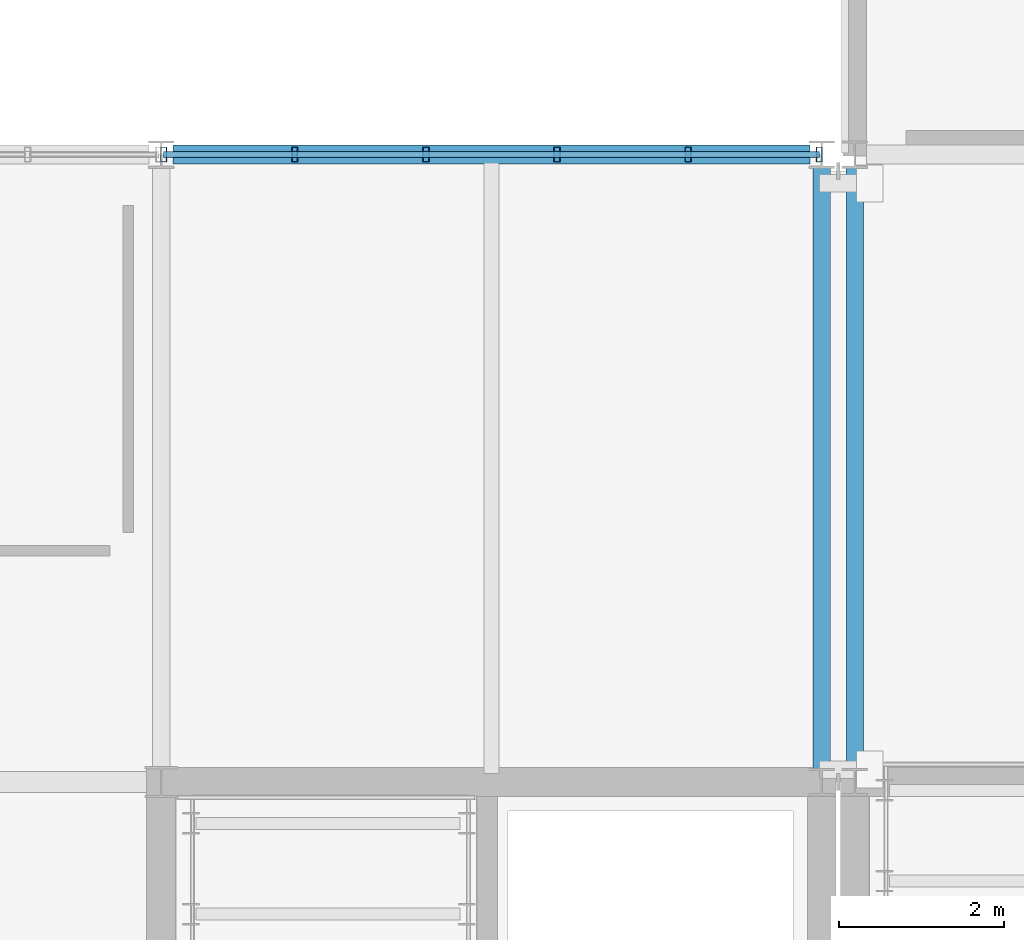
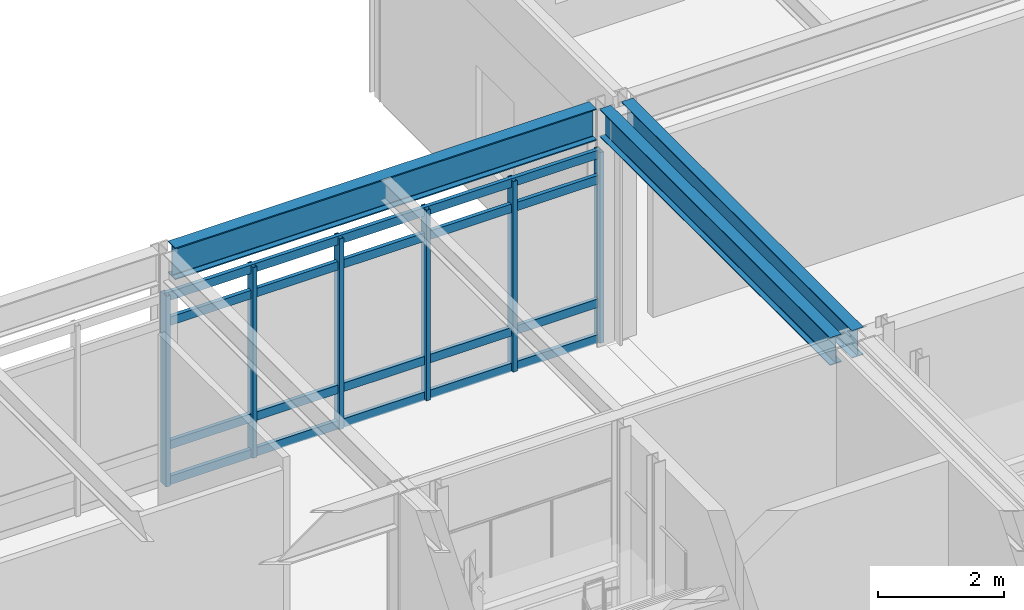
# One storey, part 56 of 104: 10 members, 3 beams, 1 element without a shape of its own.
"""IFC4 building model written with IfcOpenShell, lengths in metres."""

import ifcopenshell
import ifcopenshell.guid

model = None  # the IFC model being written
_history = None  # IfcOwnerHistory: only IFC2X3 demands one
_inside = {}  # id of a spatial element -> (the spatial element, [elements in it])
_under = {}  # id of a project, library or spatial element -> (it, [spatial elements below it])
_declared = {}  # id of a project -> (the project, [libraries it declares])
_typed = {}  # id of a type object -> (the type object, [elements of that type])
_made_of = {}  # id of a material, layer set ... -> (it, [elements and type objects made of it])


def new_model(schema):
    """Start an empty IFC model of exactly this schema.

    Asked for "IFC4X3", IfcOpenShell would pick the latest addendum, in which some entities
    have other attributes; the version numbers below select the first issue.
    IFC2X3 requires an IfcOwnerHistory on every rooted entity: one is made here for all.
    """
    global model, _history
    if schema == "IFC4X3":
        model = ifcopenshell.file(schema_version=(4, 3, 0, 0))
    else:
        model = ifcopenshell.file(schema=schema)
    _inside.clear()
    _under.clear()
    _declared.clear()
    _typed.clear()
    _made_of.clear()
    _history = None
    if model.schema == "IFC2X3":
        org = make("IfcOrganization", Name="unknown")
        user = make(
            "IfcPersonAndOrganization",
            ThePerson=make("IfcPerson", FamilyName="unknown"),
            TheOrganization=org,
        )
        app = make(
            "IfcApplication",
            ApplicationDeveloper=org,
            Version="unknown",
            ApplicationFullName="unknown",
            ApplicationIdentifier="unknown",
        )
        _history = make(
            "IfcOwnerHistory",
            OwningUser=user,
            OwningApplication=app,
            ChangeAction="ADDED",
            CreationDate=0,
        )
    return model


def make(cls, **values):
    """One entity of the class cls with the attributes given. An attribute that is None is left unset."""
    return model.create_entity(
        cls, **{name: value for name, value in values.items() if value is not None}
    )


def rooted(cls, **values):
    """An entity with a GlobalId (a new one), such as an element, a storey or a relation."""
    return make(cls, GlobalId=ifcopenshell.guid.new(), OwnerHistory=_history, **values)


def si_unit(unit_type, name, prefix=None):
    """IfcSIUnit, for example si_unit("LENGTHUNIT", "METRE", prefix="MILLI")."""
    return make("IfcSIUnit", UnitType=unit_type, Prefix=prefix, Name=name)


def assignment(units):
    """IfcUnitAssignment: the units of a project."""
    return None if units is None else make("IfcUnitAssignment", Units=units)


def point(xyz):
    """IfcCartesianPoint."""
    return None if xyz is None else make("IfcCartesianPoint", Coordinates=xyz)


def direction(xyz):
    """IfcDirection."""
    return None if xyz is None else make("IfcDirection", DirectionRatios=xyz)


def frame(location, z_axis=None, x_axis=None):
    """IfcAxis2Placement3D, a coordinate frame: its origin and axes. An axis left out is left unset."""
    return make(
        "IfcAxis2Placement3D",
        Location=point(location),
        Axis=direction(z_axis),
        RefDirection=direction(x_axis),
    )


def frame_2d(location, x_axis=None):
    """IfcAxis2Placement2D, a coordinate frame in the plane: its origin and x axis."""
    return make(
        "IfcAxis2Placement2D", Location=point(location), RefDirection=direction(x_axis)
    )


def origin():
    """The frame at (0, 0, 0) with its axes left unset."""
    return frame((0.0, 0.0, 0.0))


def origin_2d():
    """The frame at (0, 0) in the plane with its x axis left unset."""
    return frame_2d((0.0, 0.0))


def place(relative_to, where):
    """IfcLocalPlacement: puts the frame where relative to a parent placement (None: the world)."""
    return make(
        "IfcLocalPlacement", PlacementRelTo=relative_to, RelativePlacement=where
    )


def context(
    kind, dimensions, precision=None, world=None, true_north=None, identifier=None
):
    """IfcGeometricRepresentationContext, for example the 3D "Model" context."""
    return make(
        "IfcGeometricRepresentationContext",
        ContextIdentifier=identifier,
        ContextType=kind,
        CoordinateSpaceDimension=dimensions,
        Precision=precision,
        WorldCoordinateSystem=world,
        TrueNorth=true_north,
    )


def subcontext(parent, identifier, kind, view, scale=None):
    """IfcGeometricRepresentationSubContext, for example "Body" below "Model"."""
    return make(
        "IfcGeometricRepresentationSubContext",
        ContextIdentifier=identifier,
        ContextType=kind,
        ParentContext=parent,
        TargetScale=scale,
        TargetView=view,
    )


def project(units=None, contexts=None):
    """IfcProject with its units and contexts."""
    return rooted(
        "IfcProject",
        Name="project",
        RepresentationContexts=contexts,
        UnitsInContext=assignment(units),
    )


def spatial(cls, under=None, at=None, **own):
    """A site, building, storey or space (cls), placed at a placement, below another one or the project."""
    s = rooted(cls, ObjectPlacement=at, **own)
    if under is not None:
        _under.setdefault(under.id(), (under, []))[1].append(s)
    return s


def profile(cls, at=None, kind="AREA", **sizes):
    """A parametric profile (cls). Its sizes go by their IFC names, for example OverallWidth=200.0."""
    return make(cls, ProfileType=kind, Position=at, **sizes)


def hollow_rectangle(**sizes):
    """IfcRectangleHollowProfileDef."""
    return profile("IfcRectangleHollowProfileDef", **sizes)


def i_section(**sizes):
    """IfcIShapeProfileDef."""
    return profile("IfcIShapeProfileDef", **sizes)


def extrude(swept, where, along, depth):
    """IfcExtrudedAreaSolid: the profile swept, set in the frame where, extruded along a direction by depth."""
    return make(
        "IfcExtrudedAreaSolid",
        SweptArea=swept,
        Position=where,
        ExtrudedDirection=direction(along),
        Depth=depth,
    )


def shape(context_of_items, identifier, shape_type, items):
    """IfcShapeRepresentation: the items that make up one representation, for example the "Body"."""
    return make(
        "IfcShapeRepresentation",
        ContextOfItems=context_of_items,
        RepresentationIdentifier=identifier,
        RepresentationType=shape_type,
        Items=items,
    )


def material(Name=None, Category=None):
    """IfcMaterial."""
    return make("IfcMaterial", Name=Name, Category=Category)


def material_profile(
    of_material, cross_section, Name=None, Category=None, Priority=None
):
    """IfcMaterialProfile: a cross section and its material."""
    return make(
        "IfcMaterialProfile",
        Name=Name,
        Material=of_material,
        Profile=cross_section,
        Priority=Priority,
        Category=Category,
    )


def profile_set(profiles, Name=None, composite=None):
    """IfcMaterialProfileSet."""
    return make(
        "IfcMaterialProfileSet",
        Name=Name,
        MaterialProfiles=profiles,
        CompositeProfile=composite,
    )


def made_of(thing, what):
    """Note that an element or type object is made of a material, layer set ...; save() writes the relation."""
    if what is not None:
        _made_of.setdefault(what.id(), (what, []))[1].append(thing)
    return thing


def type_object(cls, material=None, **own):
    """A type object (cls), such as IfcWallType, which elements share."""
    return made_of(rooted(cls, **own), material)


def element(
    cls,
    number,
    at=None,
    inside=None,
    cuts=None,
    type_object=None,
    material=None,
    context=None,
    identifier="Body",
    shape_type=None,
    held_by="IfcProductDefinitionShape",
    body=None,
    shapes=None,
    **own,
):
    """One element of the class cls, such as IfcWall. Its Tag is "e" and its number.

    at: its placement. inside: the storey or other place that contains it. cuts: it is an
    opening in that element (IfcRelVoidsElement). A single representation is given by context,
    identifier, shape_type and body (its items); several are given by shapes. held_by: the class
    of the entity that holds the representations. save() writes the other relations.
    """
    e = rooted(cls, Tag="e%d" % number, ObjectPlacement=at, **own)
    if body is not None:
        shapes = [shape(context, identifier, shape_type, body)]
    if shapes is not None:
        e.Representation = make(held_by, Representations=shapes)
    if inside is not None:
        _inside.setdefault(inside.id(), (inside, []))[1].append(e)
    if cuts is not None:
        rooted(
            "IfcRelVoidsElement", RelatingBuildingElement=cuts, RelatedOpeningElement=e
        )
    if type_object is not None:
        _typed.setdefault(type_object.id(), (type_object, []))[1].append(e)
    return made_of(e, material)


def aggregate(whole, parts):
    """IfcRelAggregates: a whole, such as a stair, and the parts it consists of."""
    return rooted("IfcRelAggregates", RelatingObject=whole, RelatedObjects=parts)


def save(model, path):
    """Write the relations noted so far, then the file.

    IfcRelAggregates (storeys below a building ...), IfcRelContainedInSpatialStructure (elements
    in a storey), IfcRelDefinesByType, IfcRelAssociatesMaterial and IfcRelDeclares: one each for
    every whole, place, type object, material and project.
    """
    for whole, parts in _under.values():
        aggregate(whole, parts)
    for where, things in _inside.values():
        rooted(
            "IfcRelContainedInSpatialStructure",
            RelatedElements=things,
            RelatingStructure=where,
        )
    for kind, things in _typed.values():
        rooted("IfcRelDefinesByType", RelatedObjects=things, RelatingType=kind)
    for what, things in _made_of.values():
        rooted("IfcRelAssociatesMaterial", RelatedObjects=things, RelatingMaterial=what)
    for by, libraries in _declared.values():
        rooted("IfcRelDeclares", RelatingContext=by, RelatedDefinitions=libraries)
    model.write(path)


model = new_model("IFC4")

# Units and contexts
model_context = context("Model", 3, precision=1e-05, world=origin(), true_north=direction((0.0, 1.0)))
body_context = subcontext(model_context, "Body", "Model", "MODEL_VIEW")
ifc_project = project(units=[si_unit("LENGTHUNIT", "METRE"), si_unit("AREAUNIT", "SQUARE_METRE"), si_unit("VOLUMEUNIT", "CUBIC_METRE"), si_unit("PLANEANGLEUNIT", "RADIAN"), si_unit("MASSUNIT", "GRAM", prefix="KILO")], contexts=[model_context])

# Site, building, storey
site_placement = place(None, origin())
site = spatial("IfcSite", under=ifc_project, at=site_placement, CompositionType="ELEMENT")
building_placement = place(site_placement, origin())
building = spatial("IfcBuilding", under=site, at=building_placement, Name="Zulena Civic Courthouse", CompositionType="ELEMENT")
storey_placement = place(building_placement, frame((0.0, 0.0, 10.800048828125)))
storey = spatial("IfcBuildingStorey", under=building, at=storey_placement, Name="L02", CompositionType="ELEMENT", Elevation=10.800048828125)

# Curtain wall, members
ifc_material_1 = material(Name="Double-silver low-E laminated solar-control glass", Category="glass")
curtain_wall_type = type_object("IfcCurtainWallType", Name="CW_7940x3690", PredefinedType="USERDEFINED", material=ifc_material_1)
curtain_wall_placement = place(storey_placement, origin())
curtain_wall = element("IfcCurtainWall", 1, at=curtain_wall_placement, inside=storey, type_object=curtain_wall_type, Name="cw:V4:L02:1:6", ObjectType="UNITISED CURTAIN WALL", PredefinedType="USERDEFINED")
ifc_material_2 = material(Name="Bronze anodised thermally broken aluminium AA6063-T6", Category="aluminium")
ifc_material_profile_1 = material_profile(ifc_material_2, hollow_rectangle(XDim=0.074951171875, YDim=0.179931640625, WallThickness=0.0048828125, at=origin_2d()), Name="CWM180X75X5")
ifc_profile_set_1 = profile_set([ifc_material_profile_1], Name="Bronze anodised thermally broken aluminium AA6063-T6")
member_type_1 = type_object("IfcMemberType", Name="CWMullion_180x75", PredefinedType="MULLION", material=ifc_profile_set_1)
member_1_placement = place(storey_placement, frame((116.030029296875, 45.60009765625, 0.0), z_axis=(0.0, 0.0, 1.0), x_axis=(1.0, 0.0, 0.0)))
member_1 = element("IfcMember", 2, at=member_1_placement, type_object=member_type_1, Name="cw:V4:L02:1:6:mull:0", PredefinedType="MULLION", context=body_context, shape_type="SweptSolid", body=[
    extrude(hollow_rectangle(XDim=0.074951171875, YDim=0.179931640625, WallThickness=0.0048828125, at=origin_2d()), origin(), (0.0, 0.0, 1.0), 3.68994140625),
])
member_2_placement = place(storey_placement, frame((117.617919921875, 45.60009765625, 0.0), z_axis=(0.0, 0.0, 1.0), x_axis=(1.0, 0.0, 0.0)))
member_2 = element("IfcMember", 3, at=member_2_placement, type_object=member_type_1, Name="cw:V4:L02:1:6:mull:1", PredefinedType="MULLION", context=body_context, shape_type="SweptSolid", body=[
    extrude(hollow_rectangle(XDim=0.074951171875, YDim=0.179931640625, WallThickness=0.0048828125, at=origin_2d()), origin(), (0.0, 0.0, 1.0), 3.68994140625),
])
member_3_placement = place(storey_placement, frame((119.2060546875, 45.60009765625, 0.0), z_axis=(0.0, 0.0, 1.0), x_axis=(1.0, 0.0, 0.0)))
member_3 = element("IfcMember", 4, at=member_3_placement, type_object=member_type_1, Name="cw:V4:L02:1:6:mull:2", PredefinedType="MULLION", context=body_context, shape_type="SweptSolid", body=[
    extrude(hollow_rectangle(XDim=0.074951171875, YDim=0.179931640625, WallThickness=0.0048828125, at=origin_2d()), origin(), (0.0, 0.0, 1.0), 3.68994140625),
])
member_4_placement = place(storey_placement, frame((120.7939453125, 45.60009765625, 0.0), z_axis=(0.0, 0.0, 1.0), x_axis=(1.0, 0.0, 0.0)))
member_4 = element("IfcMember", 5, at=member_4_placement, type_object=member_type_1, Name="cw:V4:L02:1:6:mull:3", PredefinedType="MULLION", context=body_context, shape_type="SweptSolid", body=[
    extrude(hollow_rectangle(XDim=0.074951171875, YDim=0.179931640625, WallThickness=0.0048828125, at=origin_2d()), origin(), (0.0, 0.0, 1.0), 3.68994140625),
])
member_5_placement = place(storey_placement, frame((122.382080078125, 45.60009765625, 0.0), z_axis=(0.0, 0.0, 1.0), x_axis=(1.0, 0.0, 0.0)))
member_5 = element("IfcMember", 6, at=member_5_placement, type_object=member_type_1, Name="cw:V4:L02:1:6:mull:4", PredefinedType="MULLION", context=body_context, shape_type="SweptSolid", body=[
    extrude(hollow_rectangle(XDim=0.074951171875, YDim=0.179931640625, WallThickness=0.0048828125, at=origin_2d()), origin(), (0.0, 0.0, 1.0), 3.68994140625),
])
member_6_placement = place(storey_placement, frame((123.969970703125, 45.60009765625, 0.0), z_axis=(0.0, 0.0, 1.0), x_axis=(1.0, 0.0, 0.0)))
member_6 = element("IfcMember", 7, at=member_6_placement, type_object=member_type_1, Name="cw:V4:L02:1:6:mull:5", PredefinedType="MULLION", context=body_context, shape_type="SweptSolid", body=[
    extrude(hollow_rectangle(XDim=0.074951171875, YDim=0.179931640625, WallThickness=0.0048828125, at=origin_2d()), origin(), (0.0, 0.0, 1.0), 3.68994140625),
])
ifc_material_profile_2 = material_profile(ifc_material_2, hollow_rectangle(XDim=0.070068359375, YDim=0.1650390625, WallThickness=0.00390625, at=origin_2d()), Name="CWT165X70X4")
ifc_profile_set_2 = profile_set([ifc_material_profile_2], Name="Bronze anodised thermally broken aluminium AA6063-T6")
member_type_2 = type_object("IfcMemberType", Name="CWTransom_165x70", PredefinedType="USERDEFINED", material=ifc_profile_set_2)
member_7_placement = place(storey_placement, frame((116.030029296875, 45.60009765625, 0.06005859375), z_axis=(1.0, 0.0, 0.0), x_axis=(0.0, 1.0, 0.0)))
member_7 = element("IfcMember", 8, at=member_7_placement, type_object=member_type_2, Name="cw:V4:L02:1:6:tran:0", ObjectType="TRANSOM", PredefinedType="USERDEFINED", context=body_context, shape_type="SweptSolid", body=[
    extrude(hollow_rectangle(XDim=0.070068359375, YDim=0.1650390625, WallThickness=0.00390625, at=origin_2d()), origin(), (0.0, 0.0, 1.0), 7.93994140625),
])
member_8_placement = place(storey_placement, frame((116.030029296875, 45.60009765625, 0.75), z_axis=(1.0, 0.0, 0.0), x_axis=(0.0, 1.0, 0.0)))
member_8 = element("IfcMember", 9, at=member_8_placement, type_object=member_type_2, Name="cw:V4:L02:1:6:tran:1", ObjectType="TRANSOM", PredefinedType="USERDEFINED", context=body_context, shape_type="SweptSolid", body=[
    extrude(hollow_rectangle(XDim=0.070068359375, YDim=0.1650390625, WallThickness=0.00390625, at=origin_2d()), origin(), (0.0, 0.0, 1.0), 7.93994140625),
])
member_9_placement = place(storey_placement, frame((116.030029296875, 45.60009765625, 3.139892578125), z_axis=(1.0, 0.0, 0.0), x_axis=(0.0, 1.0, 0.0)))
member_9 = element("IfcMember", 10, at=member_9_placement, type_object=member_type_2, Name="cw:V4:L02:1:6:tran:2", ObjectType="TRANSOM", PredefinedType="USERDEFINED", context=body_context, shape_type="SweptSolid", body=[
    extrude(hollow_rectangle(XDim=0.070068359375, YDim=0.1650390625, WallThickness=0.00390625, at=origin_2d()), origin(), (0.0, 0.0, 1.0), 7.93994140625),
])
member_10_placement = place(storey_placement, frame((116.030029296875, 45.60009765625, 3.6298828125), z_axis=(1.0, 0.0, 0.0), x_axis=(0.0, 1.0, 0.0)))
member_10 = element("IfcMember", 11, at=member_10_placement, type_object=member_type_2, Name="cw:V4:L02:1:6:tran:3", ObjectType="TRANSOM", PredefinedType="USERDEFINED", context=body_context, shape_type="SweptSolid", body=[
    extrude(hollow_rectangle(XDim=0.070068359375, YDim=0.1650390625, WallThickness=0.00390625, at=origin_2d()), origin(), (0.0, 0.0, 1.0), 7.93994140625),
])
aggregate(curtain_wall, [member_1, member_2, member_3, member_4, member_5, member_6, member_7, member_8, member_9, member_10])

# Beams
ifc_material_3 = material(Name="Steel ASTM A992 Grade 50", Category="steel")
ifc_material_profile_3 = material_profile(ifc_material_3, i_section(OverallWidth=0.2099609375, OverallDepth=0.537109375, WebThickness=0.010986328125, FlangeThickness=0.017333984375, FilletRadius=0.0126953125, at=origin_2d()), Name="W21X68")
ifc_profile_set_3 = profile_set([ifc_material_profile_3], Name="Steel ASTM A992 Grade 50")
beam_type_1 = type_object("IfcBeamType", Name="Spandrel_W21X68", PredefinedType="SPANDREL", material=ifc_profile_set_3)
for number, where, z_axis, x_axis, name in (
    (12, (124.39990234375, 38.14501953125, 4.321533203125), (0.0, 1.0, 0.0), (-1.0, 0.0, 0.0), "beam:Y:V3:L02:124.4:38.0_45.6"),
    (13, (124.0, 38.14501953125, 4.321533203125), (0.0, 1.0, 0.0), (-1.0, 0.0, 0.0), "beam:Y:V4:L02:124.0:38.0_45.6"),
):
    element("IfcBeam", number, at=place(storey_placement, frame(where, z_axis=z_axis, x_axis=x_axis)), inside=storey, type_object=beam_type_1, Name=name, PredefinedType="SPANDREL", context=body_context, shape_type="SweptSolid", body=[
        extrude(i_section(OverallWidth=0.2099609375, OverallDepth=0.537109375, WebThickness=0.010986328125, FlangeThickness=0.017333984375, FilletRadius=0.0126953125, at=origin_2d()), origin(), (0.0, 0.0, 1.0), 7.31005859375),
    ])
ifc_material_profile_4 = material_profile(ifc_material_3, i_section(OverallWidth=0.22998046875, OverallDepth=0.616943359375, WebThickness=0.01318359375, FlangeThickness=0.022216796875, FilletRadius=0.0126953125, at=origin_2d()), Name="W24X94")
ifc_profile_set_4 = profile_set([ifc_material_profile_4], Name="Steel ASTM A992 Grade 50")
beam_type_2 = type_object("IfcBeamType", Name="Spandrel_W24X94", PredefinedType="SPANDREL", material=ifc_profile_set_4)
beam_placement = place(storey_placement, frame((116.14501953125, 45.60009765625, 4.281494140625), z_axis=(1.0, 0.0, 0.0), x_axis=(0.0, 1.0, 0.0)))
element("IfcBeam", 14, at=beam_placement, inside=storey, type_object=beam_type_2, Name="beam:X:V4:L02:45.6:116.0_124.0", PredefinedType="SPANDREL", context=body_context, shape_type="SweptSolid", body=[
    extrude(i_section(OverallWidth=0.22998046875, OverallDepth=0.616943359375, WebThickness=0.01318359375, FlangeThickness=0.022216796875, FilletRadius=0.0126953125, at=origin_2d()), origin(), (0.0, 0.0, 1.0), 7.7099609375),
])

save(model, "model.ifc")
